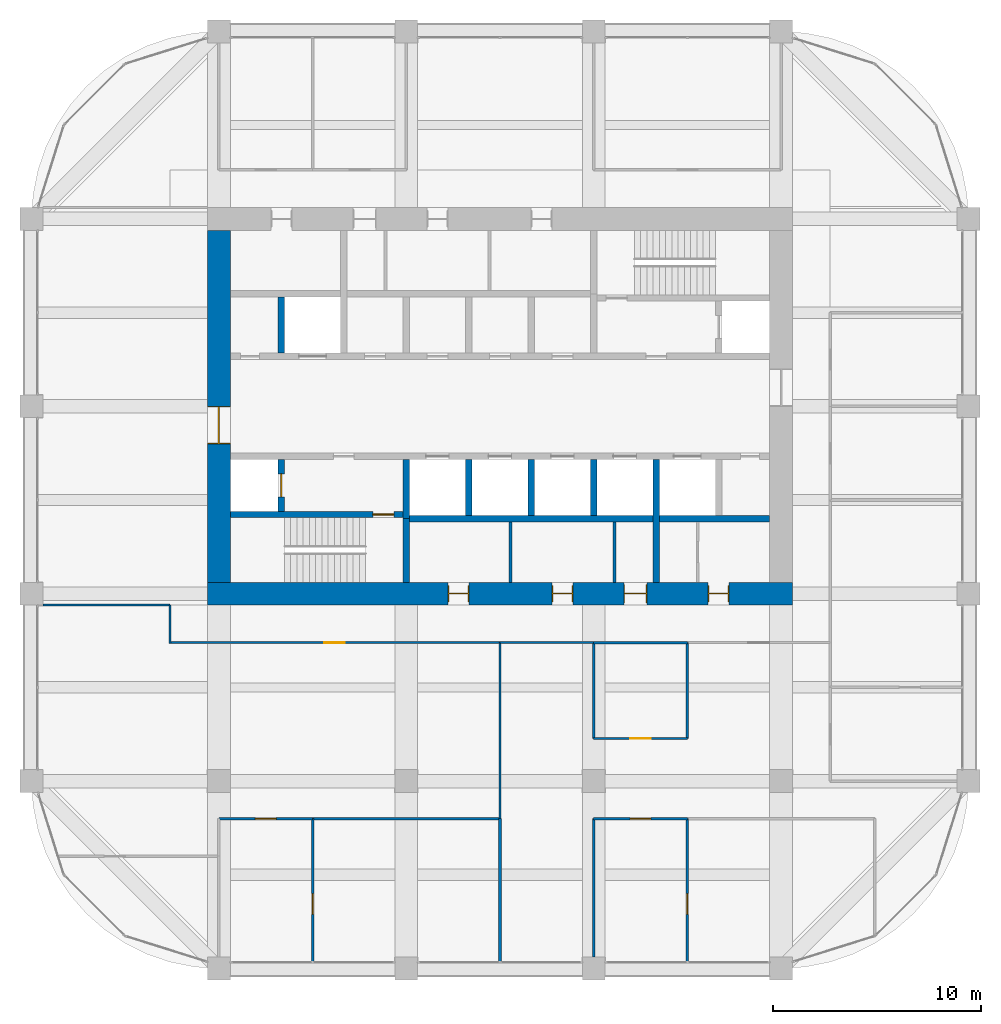
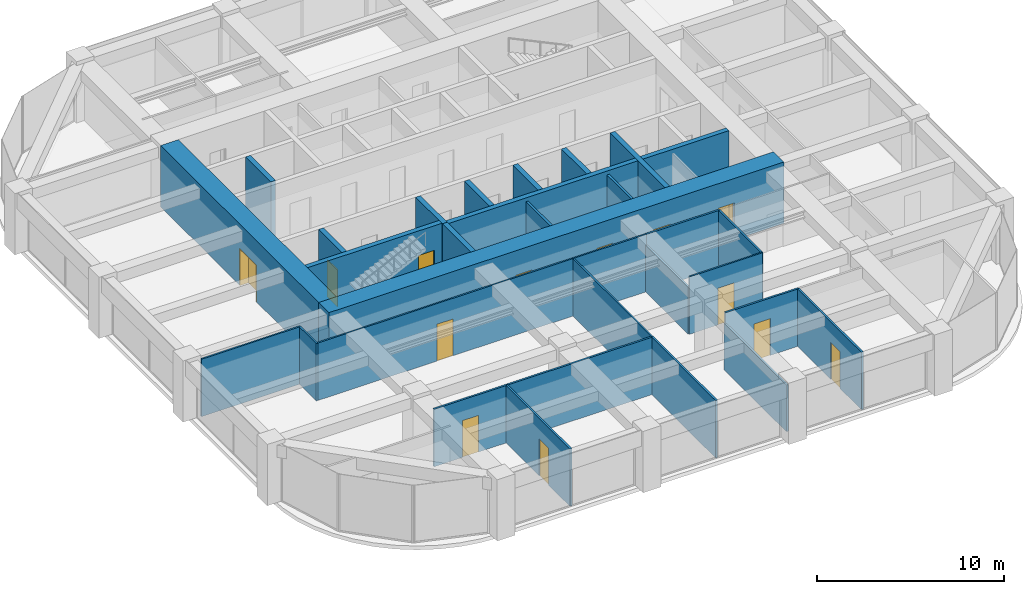
# One storey, part 41 of 44: 30 walls, 13 doors, 13 openings.
"""IFC4 building model written with IfcOpenShell, lengths in metres."""

from ifc_helpers import new_model, si_unit, direction, frame, frame_2d, origin, place, context, subcontext, project, spatial, rectangle, extrude, material, layer, layer_set, type_object, element, fill, save


model = new_model("IFC4")

# Units and contexts
model_context = context("Model", 3, precision=1e-05, world=origin(), true_north=direction((0.0, 1.0)))
body_context = subcontext(model_context, "Body", "Model", "MODEL_VIEW")
ifc_project = project(units=[si_unit("LENGTHUNIT", "METRE"), si_unit("AREAUNIT", "SQUARE_METRE"), si_unit("VOLUMEUNIT", "CUBIC_METRE"), si_unit("PLANEANGLEUNIT", "RADIAN"), si_unit("MASSUNIT", "GRAM", prefix="KILO")], contexts=[model_context])

# Site, building, storey
site_placement = place(None, origin())
site = spatial("IfcSite", under=ifc_project, at=site_placement, CompositionType="ELEMENT")
building_placement = place(site_placement, origin())
building = spatial("IfcBuilding", under=site, at=building_placement, Name="Zorevar Civic Tower", CompositionType="ELEMENT")
storey_placement = place(building_placement, frame((0.0, 0.0, 299.39990234375)))
storey = spatial("IfcBuildingStorey", under=building, at=storey_placement, Name="L73", CompositionType="ELEMENT", Elevation=299.39990234375)

# Wall, openings, doors
ifc_material_1 = material(Name="Concrete C50/60", Category="concrete")
ifc_layer_1 = layer(ifc_material_1, 1.10009765625)
ifc_layer_set_1 = layer_set([ifc_layer_1], Name="Core wall 1100")
wall_type_1 = type_object("IfcWallType", Name="Core wall 1100", PredefinedType="SHEAR", material=ifc_layer_set_1)
wall_1_placement = place(storey_placement, frame((17.449951171875, 18.0, 0.0), z_axis=(0.0, 0.0, 1.0), x_axis=(1.0, 0.0, 0.0)))
wall_1 = element("IfcWall", 1, at=wall_1_placement, inside=storey, type_object=wall_type_1, Name="Core wall S L73", PredefinedType="SHEAR", context=body_context, shape_type="SweptSolid", body=[
    extrude(rectangle(XDim=28.10009765625, YDim=1.10009765625, at=frame_2d((14.050048828125, 0.0))), origin(), (0.0, 0.0, 1.0), 4.0),
])
opening_1_placement = place(wall_1_placement, frame((11.550048828125, 0.0, 0.0)))
opening_1 = element("IfcOpeningElement", 2, at=opening_1_placement, cuts=wall_1, Name="Opening L73.03", PredefinedType="OPENING", context=body_context, shape_type="SweptSolid", body=[
    extrude(rectangle(XDim=1.0, YDim=2.39990234375, at=frame_2d((0.5, 1.199951171875))), frame((0.0, 0.56005859375, 0.0), z_axis=(0.0, -1.0, 0.0), x_axis=(1.0, 0.0, 0.0)), (0.0, 0.0, 1.0), 1.1201171875),
])
opening_2_placement = place(wall_1_placement, frame((16.550048828125, 0.0, 0.0)))
opening_2 = element("IfcOpeningElement", 3, at=opening_2_placement, cuts=wall_1, Name="Opening L73.04", PredefinedType="OPENING", context=body_context, shape_type="SweptSolid", body=[
    extrude(rectangle(XDim=1.0, YDim=2.39990234375, at=frame_2d((0.5, 1.199951171875))), frame((0.0, 0.56005859375, 0.0), z_axis=(0.0, -1.0, 0.0), x_axis=(1.0, 0.0, 0.0)), (0.0, 0.0, 1.0), 1.1201171875),
])
opening_3_placement = place(wall_1_placement, frame((20.0, 0.0, 0.0)))
opening_3 = element("IfcOpeningElement", 4, at=opening_3_placement, cuts=wall_1, Name="Opening L73.05", PredefinedType="OPENING", context=body_context, shape_type="SweptSolid", body=[
    extrude(rectangle(XDim=1.10009765625, YDim=2.39990234375, at=frame_2d((0.550048828125, 1.199951171875))), frame((0.0, 0.56005859375, 0.0), z_axis=(0.0, -1.0, 0.0), x_axis=(1.0, 0.0, 0.0)), (0.0, 0.0, 1.0), 1.1201171875),
])
opening_4_placement = place(wall_1_placement, frame((24.050048828125, 0.0, 0.0)))
opening_4 = element("IfcOpeningElement", 5, at=opening_4_placement, cuts=wall_1, Name="Opening L73.06", PredefinedType="OPENING", context=body_context, shape_type="SweptSolid", body=[
    extrude(rectangle(XDim=1.0, YDim=2.39990234375, at=frame_2d((0.5, 1.199951171875))), frame((0.0, 0.56005859375, 0.0), z_axis=(0.0, -1.0, 0.0), x_axis=(1.0, 0.0, 0.0)), (0.0, 0.0, 1.0), 1.1201171875),
])
ifc_material_2 = material(Name="Timber door set", Category="wood")
door_type_1 = type_object("IfcDoorType", Name="Door D1 1000x2400", OperationType="SINGLE_SWING_LEFT", PredefinedType="DOOR", material=ifc_material_2)
door_1_placement = place(opening_1_placement, origin())
door_1 = element("IfcDoor", 6, at=door_1_placement, inside=storey, type_object=door_type_1, Name="Door L73 02", OperationType="SINGLE_SWING_LEFT", OverallHeight=2.39990234375, OverallWidth=1.0, PredefinedType="DOOR", context=body_context, shape_type="SweptSolid", body=[
    extrude(rectangle(XDim=1.0, YDim=2.39990234375, at=frame_2d((0.5, 1.199951171875))), frame((0.0, 0.02490234375, 0.0), z_axis=(0.0, -1.0, 0.0), x_axis=(1.0, 0.0, 0.0)), (0.0, 0.0, 1.0), 0.050048828125),
    extrude(rectangle(XDim=0.04, YDim=2.39990234375, at=frame_2d((0.02001953125, 1.199951171875))), frame((0.0, 0.39990234375, 0.0), z_axis=(0.0, -1.0, 0.0), x_axis=(1.0, 0.0, 0.0)), (0.0, 0.0, 1.0), 0.800048828125),
    extrude(rectangle(XDim=0.04, YDim=2.39990234375, at=frame_2d((0.97998046875, 1.199951171875))), frame((0.0, 0.39990234375, 0.0), z_axis=(0.0, -1.0, 0.0), x_axis=(1.0, 0.0, 0.0)), (0.0, 0.0, 1.0), 0.800048828125),
    extrude(rectangle(XDim=1.0, YDim=0.04, at=frame_2d((0.5, 2.3798828125))), frame((0.0, 0.39990234375, 0.0), z_axis=(0.0, -1.0, 0.0), x_axis=(1.0, 0.0, 0.0)), (0.0, 0.0, 1.0), 0.800048828125),
])
fill(opening_1, door_1)
door_2_placement = place(opening_2_placement, origin())
door_2 = element("IfcDoor", 7, at=door_2_placement, inside=storey, type_object=door_type_1, Name="Door L73 03", OperationType="SINGLE_SWING_RIGHT", OverallHeight=2.39990234375, OverallWidth=1.0, PredefinedType="DOOR", context=body_context, shape_type="SweptSolid", body=[
    extrude(rectangle(XDim=1.0, YDim=2.39990234375, at=frame_2d((0.5, 1.199951171875))), frame((0.0, 0.02490234375, 0.0), z_axis=(0.0, -1.0, 0.0), x_axis=(1.0, 0.0, 0.0)), (0.0, 0.0, 1.0), 0.050048828125),
    extrude(rectangle(XDim=0.04, YDim=2.39990234375, at=frame_2d((0.02001953125, 1.199951171875))), frame((0.0, 0.39990234375, 0.0), z_axis=(0.0, -1.0, 0.0), x_axis=(1.0, 0.0, 0.0)), (0.0, 0.0, 1.0), 0.800048828125),
    extrude(rectangle(XDim=0.04, YDim=2.39990234375, at=frame_2d((0.97998046875, 1.199951171875))), frame((0.0, 0.39990234375, 0.0), z_axis=(0.0, -1.0, 0.0), x_axis=(1.0, 0.0, 0.0)), (0.0, 0.0, 1.0), 0.800048828125),
    extrude(rectangle(XDim=1.0, YDim=0.04, at=frame_2d((0.5, 2.3798828125))), frame((0.0, 0.39990234375, 0.0), z_axis=(0.0, -1.0, 0.0), x_axis=(1.0, 0.0, 0.0)), (0.0, 0.0, 1.0), 0.800048828125),
])
fill(opening_2, door_2)
door_3_placement = place(opening_4_placement, origin())
door_3 = element("IfcDoor", 8, at=door_3_placement, inside=storey, type_object=door_type_1, Name="Door L73 05", OperationType="SINGLE_SWING_RIGHT", OverallHeight=2.39990234375, OverallWidth=1.0, PredefinedType="DOOR", context=body_context, shape_type="SweptSolid", body=[
    extrude(rectangle(XDim=1.0, YDim=2.39990234375, at=frame_2d((0.5, 1.199951171875))), frame((0.0, 0.02490234375, 0.0), z_axis=(0.0, -1.0, 0.0), x_axis=(1.0, 0.0, 0.0)), (0.0, 0.0, 1.0), 0.050048828125),
    extrude(rectangle(XDim=0.04, YDim=2.39990234375, at=frame_2d((0.02001953125, 1.199951171875))), frame((0.0, 0.39990234375, 0.0), z_axis=(0.0, -1.0, 0.0), x_axis=(1.0, 0.0, 0.0)), (0.0, 0.0, 1.0), 0.800048828125),
    extrude(rectangle(XDim=0.04, YDim=2.39990234375, at=frame_2d((0.97998046875, 1.199951171875))), frame((0.0, 0.39990234375, 0.0), z_axis=(0.0, -1.0, 0.0), x_axis=(1.0, 0.0, 0.0)), (0.0, 0.0, 1.0), 0.800048828125),
    extrude(rectangle(XDim=1.0, YDim=0.04, at=frame_2d((0.5, 2.3798828125))), frame((0.0, 0.39990234375, 0.0), z_axis=(0.0, -1.0, 0.0), x_axis=(1.0, 0.0, 0.0)), (0.0, 0.0, 1.0), 0.800048828125),
])
fill(opening_4, door_3)
ifc_material_3 = material(Name="Timber door set", Category="wood")
door_type_2 = type_object("IfcDoorType", Name="Door D5 1100x2400", OperationType="SINGLE_SWING_LEFT", PredefinedType="DOOR", material=ifc_material_3)
door_4_placement = place(opening_3_placement, origin())
door_4 = element("IfcDoor", 9, at=door_4_placement, inside=storey, type_object=door_type_2, Name="Door L73 04", OperationType="SINGLE_SWING_RIGHT", OverallHeight=2.39990234375, OverallWidth=1.10009765625, PredefinedType="DOOR", context=body_context, shape_type="SweptSolid", body=[
    extrude(rectangle(XDim=1.10009765625, YDim=2.39990234375, at=frame_2d((0.550048828125, 1.199951171875))), frame((0.0, 0.02490234375, 0.0), z_axis=(0.0, -1.0, 0.0), x_axis=(1.0, 0.0, 0.0)), (0.0, 0.0, 1.0), 0.050048828125),
    extrude(rectangle(XDim=0.04, YDim=2.39990234375, at=frame_2d((0.02001953125, 1.199951171875))), frame((0.0, 0.43994140625, 0.0), z_axis=(0.0, -1.0, 0.0), x_axis=(1.0, 0.0, 0.0)), (0.0, 0.0, 1.0), 0.880126953125),
    extrude(rectangle(XDim=0.04, YDim=2.39990234375, at=frame_2d((1.080078125, 1.199951171875))), frame((0.0, 0.43994140625, 0.0), z_axis=(0.0, -1.0, 0.0), x_axis=(1.0, 0.0, 0.0)), (0.0, 0.0, 1.0), 0.880126953125),
    extrude(rectangle(XDim=1.10009765625, YDim=0.04, at=frame_2d((0.550048828125, 2.3798828125))), frame((0.0, 0.43994140625, 0.0), z_axis=(0.0, -1.0, 0.0), x_axis=(1.0, 0.0, 0.0)), (0.0, 0.0, 1.0), 0.880126953125),
])
fill(opening_3, door_4)

# Wall, opening, door
wall_2_placement = place(storey_placement, frame((18.0, 35.449951171875, 0.0), z_axis=(0.0, 0.0, 1.0), x_axis=(0.0, -1.0, 0.0)))
wall_2 = element("IfcWall", 10, at=wall_2_placement, inside=storey, type_object=wall_type_1, Name="Core wall W L73", PredefinedType="SHEAR", context=body_context, shape_type="SweptSolid", body=[
    extrude(rectangle(XDim=16.89990234375, YDim=1.10009765625, at=frame_2d((8.449951171875, 0.0))), origin(), (0.0, 0.0, 1.0), 4.0),
])
opening_5_placement = place(wall_2_placement, frame((8.449951171875, 0.0, 0.0)))
opening_5 = element("IfcOpeningElement", 11, at=opening_5_placement, cuts=wall_2, Name="Opening L73.01", PredefinedType="OPENING", context=body_context, shape_type="SweptSolid", body=[
    extrude(rectangle(XDim=1.800048828125, YDim=2.39990234375, at=frame_2d((0.89990234375, 1.199951171875))), frame((0.0, 0.56005859375, 0.0), z_axis=(0.0, -1.0, 0.0), x_axis=(1.0, 0.0, 0.0)), (0.0, 0.0, 1.0), 1.1201171875),
])
ifc_material_4 = material(Name="Steel door set", Category="steel")
door_type_3 = type_object("IfcDoorType", Name="Fire door FD2 1800x2400", OperationType="DOUBLE_DOOR_DOUBLE_SWING", PredefinedType="DOOR", material=ifc_material_4)
door_5_placement = place(opening_5_placement, origin())
door_5 = element("IfcDoor", 12, at=door_5_placement, inside=storey, type_object=door_type_3, Name="Door L73 00", OperationType="DOUBLE_DOOR_DOUBLE_SWING", OverallHeight=2.39990234375, OverallWidth=1.800048828125, PredefinedType="DOOR", context=body_context, shape_type="SweptSolid", body=[
    extrude(rectangle(XDim=1.800048828125, YDim=2.39990234375, at=frame_2d((0.89990234375, 1.199951171875))), frame((0.0, 0.030029296875, 0.0), z_axis=(0.0, -1.0, 0.0), x_axis=(1.0, 0.0, 0.0)), (0.0, 0.0, 1.0), 0.06005859375),
    extrude(rectangle(XDim=0.04, YDim=2.39990234375, at=frame_2d((0.02001953125, 1.199951171875))), frame((0.0, 0.5498046875, 0.0), z_axis=(0.0, -1.0, 0.0), x_axis=(1.0, 0.0, 0.0)), (0.0, 0.0, 1.0), 1.099609375),
    extrude(rectangle(XDim=0.04, YDim=2.39990234375, at=frame_2d((1.780029296875, 1.199951171875))), frame((0.0, 0.5498046875, 0.0), z_axis=(0.0, -1.0, 0.0), x_axis=(1.0, 0.0, 0.0)), (0.0, 0.0, 1.0), 1.099609375),
    extrude(rectangle(XDim=1.800048828125, YDim=0.04, at=frame_2d((0.89990234375, 2.3798828125))), frame((0.0, 0.5498046875, 0.0), z_axis=(0.0, -1.0, 0.0), x_axis=(1.0, 0.0, 0.0)), (0.0, 0.0, 1.0), 1.099609375),
])
fill(opening_5, door_5)

ifc_material_5 = material(Name="Laminated glass in black aluminium frame", Category="aluminium")
ifc_layer_2 = layer(ifc_material_5, 0.10009765625)
ifc_layer_set_2 = layer_set([ifc_layer_2], Name="Glazed partition 100")
wall_type_2 = type_object("IfcWallType", Name="Glazed partition 100", PredefinedType="PARTITIONING", material=ifc_layer_set_2)
wall_3_placement = place(storey_placement, frame((36.0, 11.050048828125, 0.0), z_axis=(0.0, 0.0, 1.0), x_axis=(1.0, 0.0, 0.0)))
wall_3 = element("IfcWall", 13, at=wall_3_placement, inside=storey, type_object=wall_type_2, Name="Glazed partition 100 L73", PredefinedType="PARTITIONING", context=body_context, shape_type="SweptSolid", body=[
    extrude(rectangle(XDim=4.5, YDim=0.10009765625, at=frame_2d((2.25, 0.0))), origin(), (0.0, 0.0, 1.0), 3.75),
])
opening_6_placement = place(wall_3_placement, frame((1.75, 0.0, 0.0)))
opening_6 = element("IfcOpeningElement", 14, at=opening_6_placement, cuts=wall_3, Name="Opening L73.20", PredefinedType="OPENING", context=body_context, shape_type="SweptSolid", body=[
    extrude(rectangle(XDim=1.0, YDim=2.39990234375, at=frame_2d((0.5, 1.199951171875))), frame((0.0, 0.06005859375, 0.0), z_axis=(0.0, -1.0, 0.0), x_axis=(1.0, 0.0, 0.0)), (0.0, 0.0, 1.0), 0.1201171875),
])
ifc_material_6 = material(Name="Timber door set", Category="wood")
door_type_4 = type_object("IfcDoorType", Name="Glazed door GD1 1000x2400", OperationType="SINGLE_SWING_LEFT", PredefinedType="DOOR", material=ifc_material_6)
door_6_placement = place(opening_6_placement, origin())
door_6 = element("IfcDoor", 15, at=door_6_placement, inside=storey, type_object=door_type_4, Name="Door L73 D1", OperationType="SINGLE_SWING_LEFT", OverallHeight=2.39990234375, OverallWidth=1.0, PredefinedType="DOOR", context=body_context, shape_type="SweptSolid", body=[
    extrude(rectangle(XDim=1.0, YDim=2.39990234375, at=frame_2d((0.5, 1.199951171875))), frame((0.0, 0.02001953125, 0.0), z_axis=(0.0, -1.0, 0.0), x_axis=(1.0, 0.0, 0.0)), (0.0, 0.0, 1.0), 0.0400390625),
])
fill(opening_6, door_6)

wall_4_placement = place(storey_placement, frame((15.60009765625, 15.64990234375, 0.0), z_axis=(0.0, 0.0, 1.0), x_axis=(1.0, 0.0, 0.0)))
wall_4 = element("IfcWall", 16, at=wall_4_placement, inside=storey, type_object=wall_type_2, Name="Glazed partition 100 L73", PredefinedType="PARTITIONING", context=body_context, shape_type="SweptSolid", body=[
    extrude(rectangle(XDim=15.89990234375, YDim=0.10009765625, at=frame_2d((7.949951171875, 0.0))), origin(), (0.0, 0.0, 1.0), 3.75),
])
opening_7_placement = place(wall_4_placement, frame((7.449951171875, 0.0, 0.0)))
opening_7 = element("IfcOpeningElement", 17, at=opening_7_placement, cuts=wall_4, Name="Opening L73.22", PredefinedType="OPENING", context=body_context, shape_type="SweptSolid", body=[
    extrude(rectangle(XDim=1.0, YDim=2.39990234375, at=frame_2d((0.5, 1.199951171875))), frame((0.0, 0.06005859375, 0.0), z_axis=(0.0, -1.0, 0.0), x_axis=(1.0, 0.0, 0.0)), (0.0, 0.0, 1.0), 0.1201171875),
])
door_7_placement = place(opening_7_placement, origin())
door_7 = element("IfcDoor", 18, at=door_7_placement, inside=storey, type_object=door_type_4, Name="Door L73 D1", OperationType="SINGLE_SWING_RIGHT", OverallHeight=2.39990234375, OverallWidth=1.0, PredefinedType="DOOR", context=body_context, shape_type="SweptSolid", body=[
    extrude(rectangle(XDim=1.0, YDim=2.39990234375, at=frame_2d((0.5, 1.199951171875))), frame((0.0, 0.02001953125, 0.0), z_axis=(0.0, -1.0, 0.0), x_axis=(1.0, 0.0, 0.0)), (0.0, 0.0, 1.0), 0.0400390625),
])
fill(opening_7, door_7)

# Walls
wall_5_placement = place(storey_placement, frame((31.5, 15.64990234375, 0.0), z_axis=(0.0, 0.0, 1.0), x_axis=(1.0, 0.0, 0.0)))
element("IfcWall", 19, at=wall_5_placement, inside=storey, type_object=wall_type_2, Name="Glazed partition 100 L73", PredefinedType="PARTITIONING", context=body_context, shape_type="SweptSolid", body=[
    extrude(rectangle(XDim=4.489990234375, YDim=0.10009765625, at=frame_2d((2.2451171875, 0.0))), origin(), (0.0, 0.0, 1.0), 3.75),
])
wall_6_placement = place(storey_placement, frame((9.550048828125, 17.449951171875, 0.0), z_axis=(0.0, 0.0, 1.0), x_axis=(1.0, 0.0, 0.0)))
element("IfcWall", 20, at=wall_6_placement, inside=storey, type_object=wall_type_2, Name="Glazed partition 100 L73", PredefinedType="PARTITIONING", context=body_context, shape_type="SweptSolid", body=[
    extrude(rectangle(XDim=6.099853515625, YDim=0.10009765625, at=frame_2d((3.0498046875, 0.0))), origin(), (0.0, 0.0, 1.0), 3.75),
])
wall_7_placement = place(storey_placement, frame((15.64990234375, 15.60009765625, 0.0), z_axis=(0.0, 0.0, 1.0), x_axis=(0.0, 1.0, 0.0)))
element("IfcWall", 21, at=wall_7_placement, inside=storey, type_object=wall_type_2, Name="Glazed partition 100 L73", PredefinedType="PARTITIONING", context=body_context, shape_type="SweptSolid", body=[
    extrude(rectangle(XDim=1.849853515625, YDim=0.10009765625, at=frame_2d((0.9248046875, 0.0))), origin(), (0.0, 0.0, 1.0), 3.75),
])
wall_8_placement = place(storey_placement, frame((31.5, 7.199951171875, 0.0), z_axis=(0.0, 0.0, 1.0), x_axis=(0.0, 1.0, 0.0)))
element("IfcWall", 22, at=wall_8_placement, inside=storey, type_object=wall_type_2, Name="Glazed partition 100 L73", PredefinedType="PARTITIONING", context=body_context, shape_type="SweptSolid", body=[
    extrude(rectangle(XDim=8.449951171875, YDim=0.10009765625, at=frame_2d((4.22509765625, 0.0))), origin(), (0.0, 0.0, 1.0), 3.75),
])

# Wall, opening, door
ifc_material_7 = material(Name="Concrete C40/50", Category="concrete")
ifc_layer_3 = layer(ifc_material_7, 0.300048828125)
ifc_layer_set_3 = layer_set([ifc_layer_3], Name="Inner core wall 300")
wall_type_3 = type_object("IfcWallType", Name="Inner core wall 300", PredefinedType="SHEAR", material=ifc_layer_set_3)
wall_9_placement = place(storey_placement, frame((18.550048828125, 21.800048828125, 0.0), z_axis=(0.0, 0.0, 1.0), x_axis=(1.0, 0.0, 0.0)))
wall_9 = element("IfcWall", 23, at=wall_9_placement, inside=storey, type_object=wall_type_3, Name="Inner core wall S00 L73", PredefinedType="SHEAR", context=body_context, shape_type="SweptSolid", body=[
    extrude(rectangle(XDim=8.300048828125, YDim=0.300048828125, at=frame_2d((4.14990234375, 0.0))), origin(), (0.0, 0.0, 1.0), 4.0),
])
opening_8_placement = place(wall_9_placement, frame((6.85009765625, 0.0, 0.0)))
opening_8 = element("IfcOpeningElement", 24, at=opening_8_placement, cuts=wall_9, Name="Opening L73.11", PredefinedType="OPENING", context=body_context, shape_type="SweptSolid", body=[
    extrude(rectangle(XDim=1.0, YDim=2.39990234375, at=frame_2d((0.5, 1.199951171875))), frame((0.0, 0.159912109375, 0.0), z_axis=(0.0, -1.0, 0.0), x_axis=(1.0, 0.0, 0.0)), (0.0, 0.0, 1.0), 0.320068359375),
])
ifc_material_8 = material(Name="Steel door set", Category="steel")
door_type_5 = type_object("IfcDoorType", Name="Fire door FD1 1000x2400", OperationType="SINGLE_SWING_LEFT", PredefinedType="DOOR", material=ifc_material_8)
door_8_placement = place(opening_8_placement, origin())
door_8 = element("IfcDoor", 25, at=door_8_placement, inside=storey, type_object=door_type_5, Name="Door L73 10", OperationType="SINGLE_SWING_RIGHT", OverallHeight=2.39990234375, OverallWidth=1.0, PredefinedType="DOOR", context=body_context, shape_type="SweptSolid", body=[
    extrude(rectangle(XDim=1.0, YDim=2.39990234375, at=frame_2d((0.5, 1.199951171875))), frame((0.0, 0.030029296875, 0.0), z_axis=(0.0, -1.0, 0.0), x_axis=(1.0, 0.0, 0.0)), (0.0, 0.0, 1.0), 0.06005859375),
])
fill(opening_8, door_8)

# Wall
wall_10_placement = place(storey_placement, frame((27.0, 18.550048828125, 0.0), z_axis=(0.0, 0.0, 1.0), x_axis=(0.0, 1.0, 0.0)))
element("IfcWall", 26, at=wall_10_placement, inside=storey, type_object=wall_type_3, Name="Inner core wall S01 L73", PredefinedType="SHEAR", context=body_context, shape_type="SweptSolid", body=[
    extrude(rectangle(XDim=3.050048828125, YDim=0.300048828125, at=frame_2d((1.52490234375, 0.0))), origin(), (0.0, 0.0, 1.0), 4.0),
])

# Wall, opening, door
wall_11_placement = place(storey_placement, frame((21.0, 21.949951171875, 0.0), z_axis=(0.0, 0.0, 1.0), x_axis=(0.0, 1.0, 0.0)))
wall_11 = element("IfcWall", 27, at=wall_11_placement, inside=storey, type_object=wall_type_3, Name="Inner core wall S02 L73", PredefinedType="SHEAR", context=body_context, shape_type="SweptSolid", body=[
    extrude(rectangle(XDim=2.5, YDim=0.300048828125, at=frame_2d((1.25, 0.0))), origin(), (0.0, 0.0, 1.0), 4.0),
])
opening_9_placement = place(wall_11_placement, frame((0.699951171875, 0.0, 0.0)))
opening_9 = element("IfcOpeningElement", 28, at=opening_9_placement, cuts=wall_11, Name="Opening L73.FL1", PredefinedType="OPENING", context=body_context, shape_type="SweptSolid", body=[
    extrude(rectangle(XDim=1.10009765625, YDim=2.39990234375, at=frame_2d((0.550048828125, 1.199951171875))), frame((0.0, 0.159912109375, 0.0), z_axis=(0.0, -1.0, 0.0), x_axis=(1.0, 0.0, 0.0)), (0.0, 0.0, 1.0), 0.320068359375),
])
ifc_material_9 = material(Name="Steel door set", Category="steel")
door_type_6 = type_object("IfcDoorType", Name="Firefighting lift landing door LD3 1100x2400", OperationType="DOUBLE_DOOR_SLIDING", PredefinedType="DOOR", material=ifc_material_9)
door_9_placement = place(opening_9_placement, origin())
door_9 = element("IfcDoor", 29, at=door_9_placement, inside=storey, type_object=door_type_6, Name="Landing door FL1 L73", OperationType="DOUBLE_DOOR_SLIDING", OverallHeight=2.39990234375, OverallWidth=1.10009765625, PredefinedType="DOOR", context=body_context, shape_type="SweptSolid", body=[
    extrude(rectangle(XDim=1.10009765625, YDim=2.39990234375, at=frame_2d((0.550048828125, 1.199951171875))), frame((0.0, 0.030029296875, 0.0), z_axis=(0.0, -1.0, 0.0), x_axis=(1.0, 0.0, 0.0)), (0.0, 0.0, 1.0), 0.06005859375),
])
fill(opening_9, door_9)

# Walls
wall_12_placement = place(storey_placement, frame((27.14990234375, 21.60009765625, 0.0), z_axis=(0.0, 0.0, 1.0), x_axis=(1.0, 0.0, 0.0)))
element("IfcWall", 30, at=wall_12_placement, inside=storey, type_object=wall_type_3, Name="Inner core wall S04 L73", PredefinedType="SHEAR", context=body_context, shape_type="SweptSolid", body=[
    extrude(rectangle(XDim=17.300048828125, YDim=0.300048828125, at=frame_2d((8.64990234375, 0.0))), origin(), (0.0, 0.0, 1.0), 4.0),
])
for number, where, z_axis, x_axis, name in (
    (31, (30.0, 21.75, 0.0), (0.0, 0.0, 1.0), (0.0, 1.0, 0.0), "Inner core wall S05 L73"),
    (32, (33.0, 21.75, 0.0), (0.0, 0.0, 1.0), (0.0, 1.0, 0.0), "Inner core wall S06 L73"),
    (33, (36.0, 21.75, 0.0), (0.0, 0.0, 1.0), (0.0, 1.0, 0.0), "Inner core wall S07 L73"),
):
    element("IfcWall", number, at=place(storey_placement, frame(where, z_axis=z_axis, x_axis=x_axis)), inside=storey, type_object=wall_type_3, Name=name, PredefinedType="SHEAR", context=body_context, shape_type="SweptSolid", body=[
        extrude(rectangle(XDim=2.699951171875, YDim=0.300048828125, at=frame_2d((1.35009765625, 0.0))), origin(), (0.0, 0.0, 1.0), 4.0),
    ])
wall_13_placement = place(storey_placement, frame((39.0, 18.550048828125, 0.0), z_axis=(0.0, 0.0, 1.0), x_axis=(0.0, 1.0, 0.0)))
element("IfcWall", 34, at=wall_13_placement, inside=storey, type_object=wall_type_3, Name="Inner core wall S08 L73", PredefinedType="SHEAR", context=body_context, shape_type="SweptSolid", body=[
    extrude(rectangle(XDim=5.89990234375, YDim=0.300048828125, at=frame_2d((2.949951171875, 0.0))), origin(), (0.0, 0.0, 1.0), 4.0),
])
wall_14_placement = place(storey_placement, frame((21.0, 29.550048828125, 0.0), z_axis=(0.0, 0.0, 1.0), x_axis=(0.0, 1.0, 0.0)))
element("IfcWall", 35, at=wall_14_placement, inside=storey, type_object=wall_type_3, Name="Inner core wall N09 L73", PredefinedType="SHEAR", context=body_context, shape_type="SweptSolid", body=[
    extrude(rectangle(XDim=2.699951171875, YDim=0.300048828125, at=frame_2d((1.35009765625, 0.0))), origin(), (0.0, 0.0, 1.0), 4.0),
])
wall_15_placement = place(storey_placement, frame((27.0, 21.60009765625, 0.0), z_axis=(0.0, 0.0, 1.0), x_axis=(0.0, 1.0, 0.0)))
element("IfcWall", 36, at=wall_15_placement, inside=storey, type_object=wall_type_3, Name="Inner core wall S10 L73", PredefinedType="SHEAR", context=body_context, shape_type="SweptSolid", body=[
    extrude(rectangle(XDim=2.849853515625, YDim=0.300048828125, at=frame_2d((1.4248046875, 0.0))), origin(), (0.0, 0.0, 1.0), 4.0),
])

# Wall, opening, door
ifc_material_10 = material(Name="Gypsum board on steel studs", Category="steel")
ifc_layer_4 = layer(ifc_material_10, 0.1201171875)
ifc_layer_set_4 = layer_set([ifc_layer_4], Name="Partition 120")
wall_type_4 = type_object("IfcWallType", Name="Partition 120", PredefinedType="PARTITIONING", material=ifc_layer_set_4)
wall_16_placement = place(storey_placement, frame((18.0, 7.199951171875, 0.0), z_axis=(0.0, 0.0, 1.0), x_axis=(1.0, 0.0, 0.0)))
wall_16 = element("IfcWall", 37, at=wall_16_placement, inside=storey, type_object=wall_type_4, Name="Partition 120 L73", PredefinedType="PARTITIONING", context=body_context, shape_type="SweptSolid", body=[
    extrude(rectangle(XDim=4.5, YDim=0.1201171875, at=frame_2d((2.25, 0.0))), origin(), (0.0, 0.0, 1.0), 3.75),
])
opening_10_placement = place(wall_16_placement, frame((1.75, 0.0, 0.0)))
opening_10 = element("IfcOpeningElement", 38, at=opening_10_placement, cuts=wall_16, Name="Opening L73.18", PredefinedType="OPENING", context=body_context, shape_type="SweptSolid", body=[
    extrude(rectangle(XDim=1.0, YDim=2.39990234375, at=frame_2d((0.5, 1.199951171875))), frame((0.0, 0.070068359375, 0.0), z_axis=(0.0, -1.0, 0.0), x_axis=(1.0, 0.0, 0.0)), (0.0, 0.0, 1.0), 0.14013671875),
])
door_10_placement = place(opening_10_placement, origin())
door_10 = element("IfcDoor", 39, at=door_10_placement, inside=storey, type_object=door_type_1, Name="Door L73 D1", OperationType="SINGLE_SWING_RIGHT", OverallHeight=2.39990234375, OverallWidth=1.0, PredefinedType="DOOR", context=body_context, shape_type="SweptSolid", body=[
    extrude(rectangle(XDim=1.0, YDim=2.39990234375, at=frame_2d((0.5, 1.199951171875))), frame((0.0, 0.02490234375, 0.0), z_axis=(0.0, -1.0, 0.0), x_axis=(1.0, 0.0, 0.0)), (0.0, 0.0, 1.0), 0.050048828125),
])
fill(opening_10, door_10)

# Wall
wall_17_placement = place(storey_placement, frame((22.5, 7.199951171875, 0.0), z_axis=(0.0, 0.0, 1.0), x_axis=(1.0, 0.0, 0.0)))
element("IfcWall", 40, at=wall_17_placement, inside=storey, type_object=wall_type_4, Name="Partition 120 L73", PredefinedType="PARTITIONING", context=body_context, shape_type="SweptSolid", body=[
    extrude(rectangle(XDim=9.0, YDim=0.1201171875, at=frame_2d((4.5, 0.0))), origin(), (0.0, 0.0, 1.0), 3.75),
])

# Wall, opening, door
wall_18_placement = place(storey_placement, frame((36.0, 7.199951171875, 0.0), z_axis=(0.0, 0.0, 1.0), x_axis=(1.0, 0.0, 0.0)))
wall_18 = element("IfcWall", 41, at=wall_18_placement, inside=storey, type_object=wall_type_4, Name="Partition 120 L73", PredefinedType="PARTITIONING", context=body_context, shape_type="SweptSolid", body=[
    extrude(rectangle(XDim=4.5, YDim=0.1201171875, at=frame_2d((2.25, 0.0))), origin(), (0.0, 0.0, 1.0), 3.75),
])
opening_11_placement = place(wall_18_placement, frame((1.75, 0.0, 0.0)))
opening_11 = element("IfcOpeningElement", 42, at=opening_11_placement, cuts=wall_18, Name="Opening L73.19", PredefinedType="OPENING", context=body_context, shape_type="SweptSolid", body=[
    extrude(rectangle(XDim=1.0, YDim=2.39990234375, at=frame_2d((0.5, 1.199951171875))), frame((0.0, 0.070068359375, 0.0), z_axis=(0.0, -1.0, 0.0), x_axis=(1.0, 0.0, 0.0)), (0.0, 0.0, 1.0), 0.14013671875),
])
door_11_placement = place(opening_11_placement, origin())
door_11 = element("IfcDoor", 43, at=door_11_placement, inside=storey, type_object=door_type_1, Name="Door L73 D1", OperationType="SINGLE_SWING_RIGHT", OverallHeight=2.39990234375, OverallWidth=1.0, PredefinedType="DOOR", context=body_context, shape_type="SweptSolid", body=[
    extrude(rectangle(XDim=1.0, YDim=2.39990234375, at=frame_2d((0.5, 1.199951171875))), frame((0.0, 0.02490234375, 0.0), z_axis=(0.0, -1.0, 0.0), x_axis=(1.0, 0.0, 0.0)), (0.0, 0.0, 1.0), 0.050048828125),
])
fill(opening_11, door_11)

# Wall
wall_19_placement = place(storey_placement, frame((36.0, 15.64990234375, 0.0), z_axis=(0.0, 0.0, 1.0), x_axis=(1.0, 0.0, 0.0)))
element("IfcWall", 44, at=wall_19_placement, inside=storey, type_object=wall_type_4, Name="Partition 120 L73", PredefinedType="PARTITIONING", context=body_context, shape_type="SweptSolid", body=[
    extrude(rectangle(XDim=4.5, YDim=0.1201171875, at=frame_2d((2.25, 0.0))), origin(), (0.0, 0.0, 1.0), 3.75),
])

# Wall, opening, door
wall_20_placement = place(storey_placement, frame((22.5, 0.31005859375, 0.0), z_axis=(0.0, 0.0, 1.0), x_axis=(0.0, 1.0, 0.0)))
wall_20 = element("IfcWall", 45, at=wall_20_placement, inside=storey, type_object=wall_type_4, Name="Partition 120 L73", PredefinedType="PARTITIONING", context=body_context, shape_type="SweptSolid", body=[
    extrude(rectangle(XDim=6.889892578125, YDim=0.1201171875, at=frame_2d((3.44482421875, 0.0))), origin(), (0.0, 0.0, 1.0), 3.75),
])
opening_12_placement = place(wall_20_placement, frame((2.2900390625, 0.0, 0.0)))
opening_12 = element("IfcOpeningElement", 46, at=opening_12_placement, cuts=wall_20, Name="Opening L73.27", PredefinedType="OPENING", context=body_context, shape_type="SweptSolid", body=[
    extrude(rectangle(XDim=1.0, YDim=2.39990234375, at=frame_2d((0.5, 1.199951171875))), frame((0.0, 0.070068359375, 0.0), z_axis=(0.0, -1.0, 0.0), x_axis=(1.0, 0.0, 0.0)), (0.0, 0.0, 1.0), 0.14013671875),
])
door_12_placement = place(opening_12_placement, origin())
door_12 = element("IfcDoor", 47, at=door_12_placement, inside=storey, type_object=door_type_1, Name="Door L73 D1", OperationType="SINGLE_SWING_LEFT", OverallHeight=2.39990234375, OverallWidth=1.0, PredefinedType="DOOR", context=body_context, shape_type="SweptSolid", body=[
    extrude(rectangle(XDim=1.0, YDim=2.39990234375, at=frame_2d((0.5, 1.199951171875))), frame((0.0, 0.02490234375, 0.0), z_axis=(0.0, -1.0, 0.0), x_axis=(1.0, 0.0, 0.0)), (0.0, 0.0, 1.0), 0.050048828125),
])
fill(opening_12, door_12)

# Walls
wall_21_placement = place(storey_placement, frame((31.5, 0.31005859375, 0.0), z_axis=(0.0, 0.0, 1.0), x_axis=(0.0, 1.0, 0.0)))
element("IfcWall", 48, at=wall_21_placement, inside=storey, type_object=wall_type_4, Name="Partition 120 L73", PredefinedType="PARTITIONING", context=body_context, shape_type="SweptSolid", body=[
    extrude(rectangle(XDim=6.889892578125, YDim=0.1201171875, at=frame_2d((3.44482421875, 0.0))), origin(), (0.0, 0.0, 1.0), 3.75),
])
wall_22_placement = place(storey_placement, frame((36.0, 0.550048828125, 0.0), z_axis=(0.0, 0.0, 1.0), x_axis=(0.0, 1.0, 0.0)))
element("IfcWall", 49, at=wall_22_placement, inside=storey, type_object=wall_type_4, Name="Partition 120 L73", PredefinedType="PARTITIONING", context=body_context, shape_type="SweptSolid", body=[
    extrude(rectangle(XDim=6.64990234375, YDim=0.1201171875, at=frame_2d((3.324951171875, 0.0))), origin(), (0.0, 0.0, 1.0), 3.050048828125),
])
wall_23_placement = place(storey_placement, frame((36.0, 11.050048828125, 0.0), z_axis=(0.0, 0.0, 1.0), x_axis=(0.0, 1.0, 0.0)))
element("IfcWall", 50, at=wall_23_placement, inside=storey, type_object=wall_type_4, Name="Partition 120 L73", PredefinedType="PARTITIONING", context=body_context, shape_type="SweptSolid", body=[
    extrude(rectangle(XDim=4.599853515625, YDim=0.1201171875, at=frame_2d((2.2998046875, 0.0))), origin(), (0.0, 0.0, 1.0), 3.050048828125),
])

# Wall, opening, door
wall_24_placement = place(storey_placement, frame((40.5, 0.31005859375, 0.0), z_axis=(0.0, 0.0, 1.0), x_axis=(0.0, 1.0, 0.0)))
wall_24 = element("IfcWall", 51, at=wall_24_placement, inside=storey, type_object=wall_type_4, Name="Partition 120 L73", PredefinedType="PARTITIONING", context=body_context, shape_type="SweptSolid", body=[
    extrude(rectangle(XDim=6.889892578125, YDim=0.1201171875, at=frame_2d((3.44482421875, 0.0))), origin(), (0.0, 0.0, 1.0), 3.75),
])
opening_13_placement = place(wall_24_placement, frame((2.2900390625, 0.0, 0.0)))
opening_13 = element("IfcOpeningElement", 52, at=opening_13_placement, cuts=wall_24, Name="Opening L73.28", PredefinedType="OPENING", context=body_context, shape_type="SweptSolid", body=[
    extrude(rectangle(XDim=1.0, YDim=2.39990234375, at=frame_2d((0.5, 1.199951171875))), frame((0.0, 0.070068359375, 0.0), z_axis=(0.0, -1.0, 0.0), x_axis=(1.0, 0.0, 0.0)), (0.0, 0.0, 1.0), 0.14013671875),
])
door_13_placement = place(opening_13_placement, origin())
door_13 = element("IfcDoor", 53, at=door_13_placement, inside=storey, type_object=door_type_1, Name="Door L73 D1", OperationType="SINGLE_SWING_LEFT", OverallHeight=2.39990234375, OverallWidth=1.0, PredefinedType="DOOR", context=body_context, shape_type="SweptSolid", body=[
    extrude(rectangle(XDim=1.0, YDim=2.39990234375, at=frame_2d((0.5, 1.199951171875))), frame((0.0, 0.02490234375, 0.0), z_axis=(0.0, -1.0, 0.0), x_axis=(1.0, 0.0, 0.0)), (0.0, 0.0, 1.0), 0.050048828125),
])
fill(opening_13, door_13)

# Walls
wall_25_placement = place(storey_placement, frame((40.5, 11.050048828125, 0.0), z_axis=(0.0, 0.0, 1.0), x_axis=(0.0, 1.0, 0.0)))
element("IfcWall", 54, at=wall_25_placement, inside=storey, type_object=wall_type_4, Name="Partition 120 L73", PredefinedType="PARTITIONING", context=body_context, shape_type="SweptSolid", body=[
    extrude(rectangle(XDim=4.599853515625, YDim=0.1201171875, at=frame_2d((2.2998046875, 0.0))), origin(), (0.0, 0.0, 1.0), 3.75),
])
ifc_material_11 = material(Name="Gypsum board on steel studs, moisture resistant", Category="steel")
ifc_layer_5 = layer(ifc_material_11, 0.14990234375)
ifc_layer_set_5 = layer_set([ifc_layer_5], Name="WC partition 150")
wall_type_5 = type_object("IfcWallType", Name="WC partition 150", PredefinedType="PARTITIONING", material=ifc_layer_set_5)
for number, where, z_axis, x_axis, name in (
    (55, (32.0, 18.550048828125, 0.0), (0.0, 0.0, 1.0), (0.0, 1.0, 0.0), "WC partition L73"),
    (56, (37.0, 18.550048828125, 0.0), (0.0, 0.0, 1.0), (0.0, 1.0, 0.0), "WC partition L73"),
):
    element("IfcWall", number, at=place(storey_placement, frame(where, z_axis=z_axis, x_axis=x_axis)), inside=storey, type_object=wall_type_5, Name=name, PredefinedType="PARTITIONING", context=body_context, shape_type="SweptSolid", body=[
        extrude(rectangle(XDim=2.89990234375, YDim=0.14990234375, at=frame_2d((1.449951171875, 0.0))), origin(), (0.0, 0.0, 1.0), 3.75),
    ])

save(model, "model.ifc")
